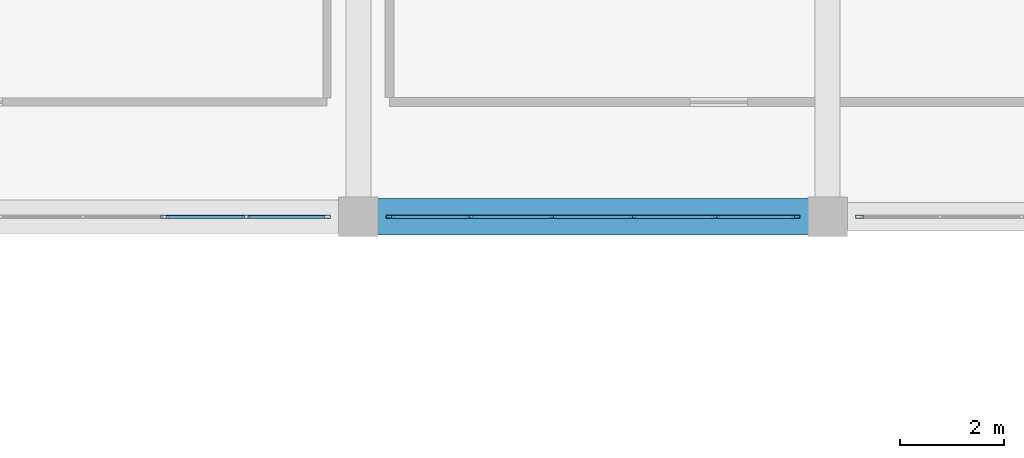
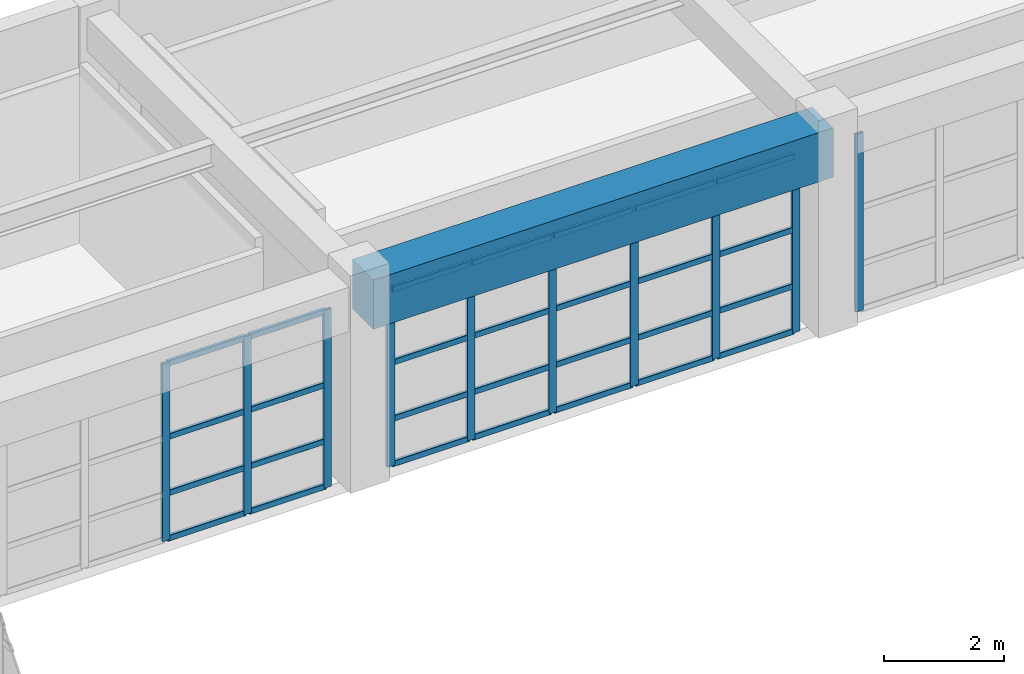
# One storey, part 67 of 133: 38 members, 1 beam, 3 elements without a shape of their own.
"""IFC4 building model written with IfcOpenShell, lengths in metres."""

from ifc_helpers import new_model, si_unit, direction, frame, origin, origin_2d, place, context, subcontext, project, spatial, rectangle, hollow_rectangle, extrude, material, material_profile, profile_set, type_object, element, aggregate, save


model = new_model("IFC4")

# Units and contexts
model_context = context("Model", 3, precision=1e-05, world=origin(), true_north=direction((0.0, 1.0)))
body_context = subcontext(model_context, "Body", "Model", "MODEL_VIEW")
ifc_project = project(units=[si_unit("LENGTHUNIT", "METRE"), si_unit("AREAUNIT", "SQUARE_METRE"), si_unit("VOLUMEUNIT", "CUBIC_METRE"), si_unit("PLANEANGLEUNIT", "RADIAN"), si_unit("MASSUNIT", "GRAM", prefix="KILO")], contexts=[model_context])

# Site, building, storey
site_placement = place(None, origin())
site = spatial("IfcSite", under=ifc_project, at=site_placement, CompositionType="ELEMENT")
building_placement = place(site_placement, origin())
building = spatial("IfcBuilding", under=site, at=building_placement, Name="Miravela Opera House", CompositionType="ELEMENT")
storey_placement = place(building_placement, frame((0.0, 0.0, 5.10009765625)))
storey = spatial("IfcBuildingStorey", under=building, at=storey_placement, Name="L01", CompositionType="ELEMENT", Elevation=5.10009765625)

# Curtain wall, members
ifc_material_1 = material(Name="Anodised architectural bronze aluminium 6063-T6", Category="aluminium")
curtain_wall_type = type_object("IfcCurtainWallType", Name="ARC-CW-05", PredefinedType="NOTDEFINED", material=ifc_material_1)
curtain_wall_1_placement = place(storey_placement, origin())
curtain_wall_1 = element("IfcCurtainWall", 1, at=curtain_wall_1_placement, inside=storey, type_object=curtain_wall_type, Name="Courtyard Arcade Curtain Wall CW-L01-078", PredefinedType="NOTDEFINED")
ifc_material_profile_1 = material_profile(ifc_material_1, hollow_rectangle(XDim=0.06005859375, YDim=0.14990234375, WallThickness=0.00390625, InnerFilletRadius=0.001953125, OuterFilletRadius=0.00390625, at=origin_2d()), Name="CWM-60X150")
ifc_profile_set_1 = profile_set([ifc_material_profile_1])
member_type_1 = type_object("IfcMemberType", Name="ARC-CWM-150", PredefinedType="MULLION", material=ifc_profile_set_1)
member_1_placement = place(storey_placement, frame((32.283935546875, 103.0, 0.0), z_axis=(0.0, 0.0, 1.0), x_axis=(0.0, 1.0, 0.0)))
member_1 = element("IfcMember", 2, at=member_1_placement, type_object=member_type_1, Name="CW-05 mullion 4", PredefinedType="MULLION", context=body_context, shape_type="SweptSolid", body=[
    extrude(hollow_rectangle(XDim=0.06005859375, YDim=0.14990234375, WallThickness=0.00390625, InnerFilletRadius=0.001953125, OuterFilletRadius=0.00390625, at=origin_2d()), origin(), (0.0, 0.0, 1.0), 3.60986328125),
])
member_2_placement = place(storey_placement, frame((33.85205078125, 103.0, 0.0), z_axis=(0.0, 0.0, 1.0), x_axis=(0.0, 1.0, 0.0)))
member_2 = element("IfcMember", 3, at=member_2_placement, type_object=member_type_1, Name="CW-05 mullion 5", PredefinedType="MULLION", context=body_context, shape_type="SweptSolid", body=[
    extrude(hollow_rectangle(XDim=0.06005859375, YDim=0.14990234375, WallThickness=0.00390625, InnerFilletRadius=0.001953125, OuterFilletRadius=0.00390625, at=origin_2d()), origin(), (0.0, 0.0, 1.0), 3.60986328125),
])
member_3_placement = place(storey_placement, frame((35.389892578125, 103.0, 0.0), z_axis=(0.0, 0.0, 1.0), x_axis=(0.0, 1.0, 0.0)))
member_3 = element("IfcMember", 4, at=member_3_placement, type_object=member_type_1, Name="CW-05 mullion 6", PredefinedType="MULLION", context=body_context, shape_type="SweptSolid", body=[
    extrude(hollow_rectangle(XDim=0.06005859375, YDim=0.14990234375, WallThickness=0.00390625, InnerFilletRadius=0.001953125, OuterFilletRadius=0.00390625, at=origin_2d()), origin(), (0.0, 0.0, 1.0), 3.60986328125),
])

curtain_wall_2_placement = place(storey_placement, origin())
curtain_wall_2 = element("IfcCurtainWall", 5, at=curtain_wall_2_placement, inside=storey, type_object=curtain_wall_type, Name="Courtyard Arcade Curtain Wall CW-L01-080", PredefinedType="NOTDEFINED")
member_4_placement = place(storey_placement, frame((36.610107421875, 103.0, 0.0), z_axis=(0.0, 0.0, 1.0), x_axis=(0.0, 1.0, 0.0)))
member_4 = element("IfcMember", 6, at=member_4_placement, type_object=member_type_1, Name="CW-05 mullion 1", PredefinedType="MULLION", context=body_context, shape_type="SweptSolid", body=[
    extrude(hollow_rectangle(XDim=0.06005859375, YDim=0.14990234375, WallThickness=0.00390625, InnerFilletRadius=0.001953125, OuterFilletRadius=0.00390625, at=origin_2d()), origin(), (0.0, 0.0, 1.0), 3.60986328125),
])
member_5_placement = place(storey_placement, frame((38.14794921875, 103.0, 0.0), z_axis=(0.0, 0.0, 1.0), x_axis=(0.0, 1.0, 0.0)))
member_5 = element("IfcMember", 7, at=member_5_placement, type_object=member_type_1, Name="CW-05 mullion 2", PredefinedType="MULLION", context=body_context, shape_type="SweptSolid", body=[
    extrude(hollow_rectangle(XDim=0.06005859375, YDim=0.14990234375, WallThickness=0.00390625, InnerFilletRadius=0.001953125, OuterFilletRadius=0.00390625, at=origin_2d()), origin(), (0.0, 0.0, 1.0), 3.60986328125),
])
member_6_placement = place(storey_placement, frame((39.716064453125, 103.0, 0.0), z_axis=(0.0, 0.0, 1.0), x_axis=(0.0, 1.0, 0.0)))
member_6 = element("IfcMember", 8, at=member_6_placement, type_object=member_type_1, Name="CW-05 mullion 3", PredefinedType="MULLION", context=body_context, shape_type="SweptSolid", body=[
    extrude(hollow_rectangle(XDim=0.06005859375, YDim=0.14990234375, WallThickness=0.00390625, InnerFilletRadius=0.001953125, OuterFilletRadius=0.00390625, at=origin_2d()), origin(), (0.0, 0.0, 1.0), 3.60986328125),
])
member_7_placement = place(storey_placement, frame((41.283935546875, 103.0, 0.0), z_axis=(0.0, 0.0, 1.0), x_axis=(0.0, 1.0, 0.0)))
member_7 = element("IfcMember", 9, at=member_7_placement, type_object=member_type_1, Name="CW-05 mullion 4", PredefinedType="MULLION", context=body_context, shape_type="SweptSolid", body=[
    extrude(hollow_rectangle(XDim=0.06005859375, YDim=0.14990234375, WallThickness=0.00390625, InnerFilletRadius=0.001953125, OuterFilletRadius=0.00390625, at=origin_2d()), origin(), (0.0, 0.0, 1.0), 3.60986328125),
])
member_8_placement = place(storey_placement, frame((42.85205078125, 103.0, 0.0), z_axis=(0.0, 0.0, 1.0), x_axis=(0.0, 1.0, 0.0)))
member_8 = element("IfcMember", 10, at=member_8_placement, type_object=member_type_1, Name="CW-05 mullion 5", PredefinedType="MULLION", context=body_context, shape_type="SweptSolid", body=[
    extrude(hollow_rectangle(XDim=0.06005859375, YDim=0.14990234375, WallThickness=0.00390625, InnerFilletRadius=0.001953125, OuterFilletRadius=0.00390625, at=origin_2d()), origin(), (0.0, 0.0, 1.0), 3.60986328125),
])
member_9_placement = place(storey_placement, frame((44.389892578125, 103.0, 0.0), z_axis=(0.0, 0.0, 1.0), x_axis=(0.0, 1.0, 0.0)))
member_9 = element("IfcMember", 11, at=member_9_placement, type_object=member_type_1, Name="CW-05 mullion 6", PredefinedType="MULLION", context=body_context, shape_type="SweptSolid", body=[
    extrude(hollow_rectangle(XDim=0.06005859375, YDim=0.14990234375, WallThickness=0.00390625, InnerFilletRadius=0.001953125, OuterFilletRadius=0.00390625, at=origin_2d()), origin(), (0.0, 0.0, 1.0), 3.60986328125),
])

# Curtain wall, member
curtain_wall_3_placement = place(storey_placement, origin())
curtain_wall_3 = element("IfcCurtainWall", 12, at=curtain_wall_3_placement, inside=storey, type_object=curtain_wall_type, Name="Courtyard Arcade Curtain Wall CW-L01-082", PredefinedType="NOTDEFINED")
member_10_placement = place(storey_placement, frame((45.610107421875, 103.0, 0.0), z_axis=(0.0, 0.0, 1.0), x_axis=(0.0, 1.0, 0.0)))
member_10 = element("IfcMember", 13, at=member_10_placement, type_object=member_type_1, Name="CW-05 mullion 1", PredefinedType="MULLION", context=body_context, shape_type="SweptSolid", body=[
    extrude(hollow_rectangle(XDim=0.06005859375, YDim=0.14990234375, WallThickness=0.00390625, InnerFilletRadius=0.001953125, OuterFilletRadius=0.00390625, at=origin_2d()), origin(), (0.0, 0.0, 1.0), 3.60986328125),
])
aggregate(curtain_wall_3, [member_10])

# Member
ifc_material_profile_2 = material_profile(ifc_material_1, hollow_rectangle(XDim=0.06005859375, YDim=0.114990234375, WallThickness=0.00390625, InnerFilletRadius=0.001953125, OuterFilletRadius=0.00390625, at=origin_2d()), Name="CWT-60X115")
ifc_profile_set_2 = profile_set([ifc_material_profile_2])
member_type_2 = type_object("IfcMemberType", Name="ARC-CWT-115", PredefinedType="USERDEFINED", material=ifc_profile_set_2)
member_11_placement = place(storey_placement, frame((32.31396484375, 103.0, 0.02978515625), z_axis=(1.0, 0.0, 0.0), x_axis=(0.0, 1.0, 0.0)))
member_11 = element("IfcMember", 14, at=member_11_placement, type_object=member_type_2, Name="CW-05 transom 4.1", ObjectType="TRANSOM", PredefinedType="USERDEFINED", context=body_context, shape_type="SweptSolid", body=[
    extrude(hollow_rectangle(XDim=0.06005859375, YDim=0.114990234375, WallThickness=0.00390625, InnerFilletRadius=0.001953125, OuterFilletRadius=0.00390625, at=origin_2d()), origin(), (0.0, 0.0, 1.0), 1.508056640625),
])

member_12_placement = place(storey_placement, frame((32.31396484375, 103.0, 0.949951171875), z_axis=(1.0, 0.0, 0.0), x_axis=(0.0, 1.0, 0.0)))
member_12 = element("IfcMember", 15, at=member_12_placement, type_object=member_type_2, Name="CW-05 transom 4.2", ObjectType="TRANSOM", PredefinedType="USERDEFINED", context=body_context, shape_type="SweptSolid", body=[
    extrude(hollow_rectangle(XDim=0.06005859375, YDim=0.114990234375, WallThickness=0.00390625, InnerFilletRadius=0.001953125, OuterFilletRadius=0.00390625, at=origin_2d()), origin(), (0.0, 0.0, 1.0), 1.508056640625),
])

member_13_placement = place(storey_placement, frame((32.31396484375, 103.0, 2.09375), z_axis=(1.0, 0.0, 0.0), x_axis=(0.0, 1.0, 0.0)))
member_13 = element("IfcMember", 16, at=member_13_placement, type_object=member_type_2, Name="CW-05 transom 4.3", ObjectType="TRANSOM", PredefinedType="USERDEFINED", context=body_context, shape_type="SweptSolid", body=[
    extrude(hollow_rectangle(XDim=0.06005859375, YDim=0.114990234375, WallThickness=0.00390625, InnerFilletRadius=0.001953125, OuterFilletRadius=0.00390625, at=origin_2d()), origin(), (0.0, 0.0, 1.0), 1.508056640625),
])

member_14_placement = place(storey_placement, frame((32.31396484375, 103.0, 3.579833984375), z_axis=(1.0, 0.0, 0.0), x_axis=(0.0, 1.0, 0.0)))
member_14 = element("IfcMember", 17, at=member_14_placement, type_object=member_type_2, Name="CW-05 transom 4.4", ObjectType="TRANSOM", PredefinedType="USERDEFINED", context=body_context, shape_type="SweptSolid", body=[
    extrude(hollow_rectangle(XDim=0.06005859375, YDim=0.114990234375, WallThickness=0.00390625, InnerFilletRadius=0.001953125, OuterFilletRadius=0.00390625, at=origin_2d()), origin(), (0.0, 0.0, 1.0), 1.508056640625),
])

member_15_placement = place(storey_placement, frame((33.882080078125, 103.0, 0.02978515625), z_axis=(1.0, 0.0, 0.0), x_axis=(0.0, 1.0, 0.0)))
member_15 = element("IfcMember", 18, at=member_15_placement, type_object=member_type_2, Name="CW-05 transom 5.1", ObjectType="TRANSOM", PredefinedType="USERDEFINED", context=body_context, shape_type="SweptSolid", body=[
    extrude(hollow_rectangle(XDim=0.06005859375, YDim=0.114990234375, WallThickness=0.00390625, InnerFilletRadius=0.001953125, OuterFilletRadius=0.00390625, at=origin_2d()), origin(), (0.0, 0.0, 1.0), 1.47802734375),
])

member_16_placement = place(storey_placement, frame((33.882080078125, 103.0, 0.949951171875), z_axis=(1.0, 0.0, 0.0), x_axis=(0.0, 1.0, 0.0)))
member_16 = element("IfcMember", 19, at=member_16_placement, type_object=member_type_2, Name="CW-05 transom 5.2", ObjectType="TRANSOM", PredefinedType="USERDEFINED", context=body_context, shape_type="SweptSolid", body=[
    extrude(hollow_rectangle(XDim=0.06005859375, YDim=0.114990234375, WallThickness=0.00390625, InnerFilletRadius=0.001953125, OuterFilletRadius=0.00390625, at=origin_2d()), origin(), (0.0, 0.0, 1.0), 1.47802734375),
])

member_17_placement = place(storey_placement, frame((33.882080078125, 103.0, 2.09375), z_axis=(1.0, 0.0, 0.0), x_axis=(0.0, 1.0, 0.0)))
member_17 = element("IfcMember", 20, at=member_17_placement, type_object=member_type_2, Name="CW-05 transom 5.3", ObjectType="TRANSOM", PredefinedType="USERDEFINED", context=body_context, shape_type="SweptSolid", body=[
    extrude(hollow_rectangle(XDim=0.06005859375, YDim=0.114990234375, WallThickness=0.00390625, InnerFilletRadius=0.001953125, OuterFilletRadius=0.00390625, at=origin_2d()), origin(), (0.0, 0.0, 1.0), 1.47802734375),
])

member_18_placement = place(storey_placement, frame((33.882080078125, 103.0, 3.579833984375), z_axis=(1.0, 0.0, 0.0), x_axis=(0.0, 1.0, 0.0)))
member_18 = element("IfcMember", 21, at=member_18_placement, type_object=member_type_2, Name="CW-05 transom 5.4", ObjectType="TRANSOM", PredefinedType="USERDEFINED", context=body_context, shape_type="SweptSolid", body=[
    extrude(hollow_rectangle(XDim=0.06005859375, YDim=0.114990234375, WallThickness=0.00390625, InnerFilletRadius=0.001953125, OuterFilletRadius=0.00390625, at=origin_2d()), origin(), (0.0, 0.0, 1.0), 1.47802734375),
])

aggregate(curtain_wall_1, [member_1, member_2, member_3, member_11, member_12, member_13, member_14, member_15, member_16, member_17, member_18])

member_19_placement = place(storey_placement, frame((36.639892578125, 103.0, 0.02978515625), z_axis=(1.0, 0.0, 0.0), x_axis=(0.0, 1.0, 0.0)))
member_19 = element("IfcMember", 22, at=member_19_placement, type_object=member_type_2, Name="CW-05 transom 1.1", ObjectType="TRANSOM", PredefinedType="USERDEFINED", context=body_context, shape_type="SweptSolid", body=[
    extrude(hollow_rectangle(XDim=0.06005859375, YDim=0.114990234375, WallThickness=0.00390625, InnerFilletRadius=0.001953125, OuterFilletRadius=0.00390625, at=origin_2d()), origin(), (0.0, 0.0, 1.0), 1.47802734375),
])

member_20_placement = place(storey_placement, frame((36.639892578125, 103.0, 0.949951171875), z_axis=(1.0, 0.0, 0.0), x_axis=(0.0, 1.0, 0.0)))
member_20 = element("IfcMember", 23, at=member_20_placement, type_object=member_type_2, Name="CW-05 transom 1.2", ObjectType="TRANSOM", PredefinedType="USERDEFINED", context=body_context, shape_type="SweptSolid", body=[
    extrude(hollow_rectangle(XDim=0.06005859375, YDim=0.114990234375, WallThickness=0.00390625, InnerFilletRadius=0.001953125, OuterFilletRadius=0.00390625, at=origin_2d()), origin(), (0.0, 0.0, 1.0), 1.47802734375),
])

member_21_placement = place(storey_placement, frame((36.639892578125, 103.0, 2.09375), z_axis=(1.0, 0.0, 0.0), x_axis=(0.0, 1.0, 0.0)))
member_21 = element("IfcMember", 24, at=member_21_placement, type_object=member_type_2, Name="CW-05 transom 1.3", ObjectType="TRANSOM", PredefinedType="USERDEFINED", context=body_context, shape_type="SweptSolid", body=[
    extrude(hollow_rectangle(XDim=0.06005859375, YDim=0.114990234375, WallThickness=0.00390625, InnerFilletRadius=0.001953125, OuterFilletRadius=0.00390625, at=origin_2d()), origin(), (0.0, 0.0, 1.0), 1.47802734375),
])

member_22_placement = place(storey_placement, frame((36.639892578125, 103.0, 3.579833984375), z_axis=(1.0, 0.0, 0.0), x_axis=(0.0, 1.0, 0.0)))
member_22 = element("IfcMember", 25, at=member_22_placement, type_object=member_type_2, Name="CW-05 transom 1.4", ObjectType="TRANSOM", PredefinedType="USERDEFINED", context=body_context, shape_type="SweptSolid", body=[
    extrude(hollow_rectangle(XDim=0.06005859375, YDim=0.114990234375, WallThickness=0.00390625, InnerFilletRadius=0.001953125, OuterFilletRadius=0.00390625, at=origin_2d()), origin(), (0.0, 0.0, 1.0), 1.47802734375),
])

member_23_placement = place(storey_placement, frame((38.177978515625, 103.0, 0.02978515625), z_axis=(1.0, 0.0, 0.0), x_axis=(0.0, 1.0, 0.0)))
member_23 = element("IfcMember", 26, at=member_23_placement, type_object=member_type_2, Name="CW-05 transom 2.1", ObjectType="TRANSOM", PredefinedType="USERDEFINED", context=body_context, shape_type="SweptSolid", body=[
    extrude(hollow_rectangle(XDim=0.06005859375, YDim=0.114990234375, WallThickness=0.00390625, InnerFilletRadius=0.001953125, OuterFilletRadius=0.00390625, at=origin_2d()), origin(), (0.0, 0.0, 1.0), 1.508056640625),
])

member_24_placement = place(storey_placement, frame((38.177978515625, 103.0, 0.949951171875), z_axis=(1.0, 0.0, 0.0), x_axis=(0.0, 1.0, 0.0)))
member_24 = element("IfcMember", 27, at=member_24_placement, type_object=member_type_2, Name="CW-05 transom 2.2", ObjectType="TRANSOM", PredefinedType="USERDEFINED", context=body_context, shape_type="SweptSolid", body=[
    extrude(hollow_rectangle(XDim=0.06005859375, YDim=0.114990234375, WallThickness=0.00390625, InnerFilletRadius=0.001953125, OuterFilletRadius=0.00390625, at=origin_2d()), origin(), (0.0, 0.0, 1.0), 1.508056640625),
])

member_25_placement = place(storey_placement, frame((38.177978515625, 103.0, 2.09375), z_axis=(1.0, 0.0, 0.0), x_axis=(0.0, 1.0, 0.0)))
member_25 = element("IfcMember", 28, at=member_25_placement, type_object=member_type_2, Name="CW-05 transom 2.3", ObjectType="TRANSOM", PredefinedType="USERDEFINED", context=body_context, shape_type="SweptSolid", body=[
    extrude(hollow_rectangle(XDim=0.06005859375, YDim=0.114990234375, WallThickness=0.00390625, InnerFilletRadius=0.001953125, OuterFilletRadius=0.00390625, at=origin_2d()), origin(), (0.0, 0.0, 1.0), 1.508056640625),
])

member_26_placement = place(storey_placement, frame((38.177978515625, 103.0, 3.579833984375), z_axis=(1.0, 0.0, 0.0), x_axis=(0.0, 1.0, 0.0)))
member_26 = element("IfcMember", 29, at=member_26_placement, type_object=member_type_2, Name="CW-05 transom 2.4", ObjectType="TRANSOM", PredefinedType="USERDEFINED", context=body_context, shape_type="SweptSolid", body=[
    extrude(hollow_rectangle(XDim=0.06005859375, YDim=0.114990234375, WallThickness=0.00390625, InnerFilletRadius=0.001953125, OuterFilletRadius=0.00390625, at=origin_2d()), origin(), (0.0, 0.0, 1.0), 1.508056640625),
])

member_27_placement = place(storey_placement, frame((39.74609375, 103.0, 0.02978515625), z_axis=(1.0, 0.0, 0.0), x_axis=(0.0, 1.0, 0.0)))
member_27 = element("IfcMember", 30, at=member_27_placement, type_object=member_type_2, Name="CW-05 transom 3.1", ObjectType="TRANSOM", PredefinedType="USERDEFINED", context=body_context, shape_type="SweptSolid", body=[
    extrude(hollow_rectangle(XDim=0.06005859375, YDim=0.114990234375, WallThickness=0.00390625, InnerFilletRadius=0.001953125, OuterFilletRadius=0.00390625, at=origin_2d()), origin(), (0.0, 0.0, 1.0), 1.5078125),
])

member_28_placement = place(storey_placement, frame((39.74609375, 103.0, 0.949951171875), z_axis=(1.0, 0.0, 0.0), x_axis=(0.0, 1.0, 0.0)))
member_28 = element("IfcMember", 31, at=member_28_placement, type_object=member_type_2, Name="CW-05 transom 3.2", ObjectType="TRANSOM", PredefinedType="USERDEFINED", context=body_context, shape_type="SweptSolid", body=[
    extrude(hollow_rectangle(XDim=0.06005859375, YDim=0.114990234375, WallThickness=0.00390625, InnerFilletRadius=0.001953125, OuterFilletRadius=0.00390625, at=origin_2d()), origin(), (0.0, 0.0, 1.0), 1.5078125),
])

member_29_placement = place(storey_placement, frame((39.74609375, 103.0, 2.09375), z_axis=(1.0, 0.0, 0.0), x_axis=(0.0, 1.0, 0.0)))
member_29 = element("IfcMember", 32, at=member_29_placement, type_object=member_type_2, Name="CW-05 transom 3.3", ObjectType="TRANSOM", PredefinedType="USERDEFINED", context=body_context, shape_type="SweptSolid", body=[
    extrude(hollow_rectangle(XDim=0.06005859375, YDim=0.114990234375, WallThickness=0.00390625, InnerFilletRadius=0.001953125, OuterFilletRadius=0.00390625, at=origin_2d()), origin(), (0.0, 0.0, 1.0), 1.5078125),
])

member_30_placement = place(storey_placement, frame((39.74609375, 103.0, 3.579833984375), z_axis=(1.0, 0.0, 0.0), x_axis=(0.0, 1.0, 0.0)))
member_30 = element("IfcMember", 33, at=member_30_placement, type_object=member_type_2, Name="CW-05 transom 3.4", ObjectType="TRANSOM", PredefinedType="USERDEFINED", context=body_context, shape_type="SweptSolid", body=[
    extrude(hollow_rectangle(XDim=0.06005859375, YDim=0.114990234375, WallThickness=0.00390625, InnerFilletRadius=0.001953125, OuterFilletRadius=0.00390625, at=origin_2d()), origin(), (0.0, 0.0, 1.0), 1.5078125),
])

member_31_placement = place(storey_placement, frame((41.31396484375, 103.0, 0.02978515625), z_axis=(1.0, 0.0, 0.0), x_axis=(0.0, 1.0, 0.0)))
member_31 = element("IfcMember", 34, at=member_31_placement, type_object=member_type_2, Name="CW-05 transom 4.1", ObjectType="TRANSOM", PredefinedType="USERDEFINED", context=body_context, shape_type="SweptSolid", body=[
    extrude(hollow_rectangle(XDim=0.06005859375, YDim=0.114990234375, WallThickness=0.00390625, InnerFilletRadius=0.001953125, OuterFilletRadius=0.00390625, at=origin_2d()), origin(), (0.0, 0.0, 1.0), 1.508056640625),
])

member_32_placement = place(storey_placement, frame((41.31396484375, 103.0, 0.949951171875), z_axis=(1.0, 0.0, 0.0), x_axis=(0.0, 1.0, 0.0)))
member_32 = element("IfcMember", 35, at=member_32_placement, type_object=member_type_2, Name="CW-05 transom 4.2", ObjectType="TRANSOM", PredefinedType="USERDEFINED", context=body_context, shape_type="SweptSolid", body=[
    extrude(hollow_rectangle(XDim=0.06005859375, YDim=0.114990234375, WallThickness=0.00390625, InnerFilletRadius=0.001953125, OuterFilletRadius=0.00390625, at=origin_2d()), origin(), (0.0, 0.0, 1.0), 1.508056640625),
])

member_33_placement = place(storey_placement, frame((41.31396484375, 103.0, 2.09375), z_axis=(1.0, 0.0, 0.0), x_axis=(0.0, 1.0, 0.0)))
member_33 = element("IfcMember", 36, at=member_33_placement, type_object=member_type_2, Name="CW-05 transom 4.3", ObjectType="TRANSOM", PredefinedType="USERDEFINED", context=body_context, shape_type="SweptSolid", body=[
    extrude(hollow_rectangle(XDim=0.06005859375, YDim=0.114990234375, WallThickness=0.00390625, InnerFilletRadius=0.001953125, OuterFilletRadius=0.00390625, at=origin_2d()), origin(), (0.0, 0.0, 1.0), 1.508056640625),
])

member_34_placement = place(storey_placement, frame((41.31396484375, 103.0, 3.579833984375), z_axis=(1.0, 0.0, 0.0), x_axis=(0.0, 1.0, 0.0)))
member_34 = element("IfcMember", 37, at=member_34_placement, type_object=member_type_2, Name="CW-05 transom 4.4", ObjectType="TRANSOM", PredefinedType="USERDEFINED", context=body_context, shape_type="SweptSolid", body=[
    extrude(hollow_rectangle(XDim=0.06005859375, YDim=0.114990234375, WallThickness=0.00390625, InnerFilletRadius=0.001953125, OuterFilletRadius=0.00390625, at=origin_2d()), origin(), (0.0, 0.0, 1.0), 1.508056640625),
])

member_35_placement = place(storey_placement, frame((42.882080078125, 103.0, 0.02978515625), z_axis=(1.0, 0.0, 0.0), x_axis=(0.0, 1.0, 0.0)))
member_35 = element("IfcMember", 38, at=member_35_placement, type_object=member_type_2, Name="CW-05 transom 5.1", ObjectType="TRANSOM", PredefinedType="USERDEFINED", context=body_context, shape_type="SweptSolid", body=[
    extrude(hollow_rectangle(XDim=0.06005859375, YDim=0.114990234375, WallThickness=0.00390625, InnerFilletRadius=0.001953125, OuterFilletRadius=0.00390625, at=origin_2d()), origin(), (0.0, 0.0, 1.0), 1.47802734375),
])

member_36_placement = place(storey_placement, frame((42.882080078125, 103.0, 0.949951171875), z_axis=(1.0, 0.0, 0.0), x_axis=(0.0, 1.0, 0.0)))
member_36 = element("IfcMember", 39, at=member_36_placement, type_object=member_type_2, Name="CW-05 transom 5.2", ObjectType="TRANSOM", PredefinedType="USERDEFINED", context=body_context, shape_type="SweptSolid", body=[
    extrude(hollow_rectangle(XDim=0.06005859375, YDim=0.114990234375, WallThickness=0.00390625, InnerFilletRadius=0.001953125, OuterFilletRadius=0.00390625, at=origin_2d()), origin(), (0.0, 0.0, 1.0), 1.47802734375),
])

member_37_placement = place(storey_placement, frame((42.882080078125, 103.0, 2.09375), z_axis=(1.0, 0.0, 0.0), x_axis=(0.0, 1.0, 0.0)))
member_37 = element("IfcMember", 40, at=member_37_placement, type_object=member_type_2, Name="CW-05 transom 5.3", ObjectType="TRANSOM", PredefinedType="USERDEFINED", context=body_context, shape_type="SweptSolid", body=[
    extrude(hollow_rectangle(XDim=0.06005859375, YDim=0.114990234375, WallThickness=0.00390625, InnerFilletRadius=0.001953125, OuterFilletRadius=0.00390625, at=origin_2d()), origin(), (0.0, 0.0, 1.0), 1.47802734375),
])

member_38_placement = place(storey_placement, frame((42.882080078125, 103.0, 3.579833984375), z_axis=(1.0, 0.0, 0.0), x_axis=(0.0, 1.0, 0.0)))
member_38 = element("IfcMember", 41, at=member_38_placement, type_object=member_type_2, Name="CW-05 transom 5.4", ObjectType="TRANSOM", PredefinedType="USERDEFINED", context=body_context, shape_type="SweptSolid", body=[
    extrude(hollow_rectangle(XDim=0.06005859375, YDim=0.114990234375, WallThickness=0.00390625, InnerFilletRadius=0.001953125, OuterFilletRadius=0.00390625, at=origin_2d()), origin(), (0.0, 0.0, 1.0), 1.47802734375),
])

aggregate(curtain_wall_2, [member_4, member_5, member_6, member_7, member_8, member_9, member_19, member_20, member_21, member_22, member_23, member_24, member_25, member_26, member_27, member_28, member_29, member_30, member_31, member_32, member_33, member_34, member_35, member_36, member_37, member_38])

# Beam
ifc_material_2 = material(Name="Concrete C40/50", Category="concrete")
ifc_material_profile_3 = material_profile(ifc_material_2, rectangle(XDim=0.699951171875, YDim=1.0, at=origin_2d()), Name="RC-BM-700X1000")
ifc_profile_set_3 = profile_set([ifc_material_profile_3])
beam_type = type_object("IfcBeamType", Name="STR-BM-RC700X1000", PredefinedType="BEAM", material=ifc_profile_set_3)
beam_placement = place(storey_placement, frame((36.080078125, 103.0, 3.659912109375), z_axis=(1.0, 0.0, 0.0), x_axis=(0.0, 1.0, 0.0)))
element("IfcBeam", 42, at=beam_placement, inside=storey, type_object=beam_type, Name="Floor Girder L01 5-6/L", PredefinedType="BEAM", context=body_context, shape_type="SweptSolid", body=[
    extrude(rectangle(XDim=0.699951171875, YDim=1.0, at=origin_2d()), origin(), (0.0, 0.0, 1.0), 8.83984375),
])

save(model, "model.ifc")
